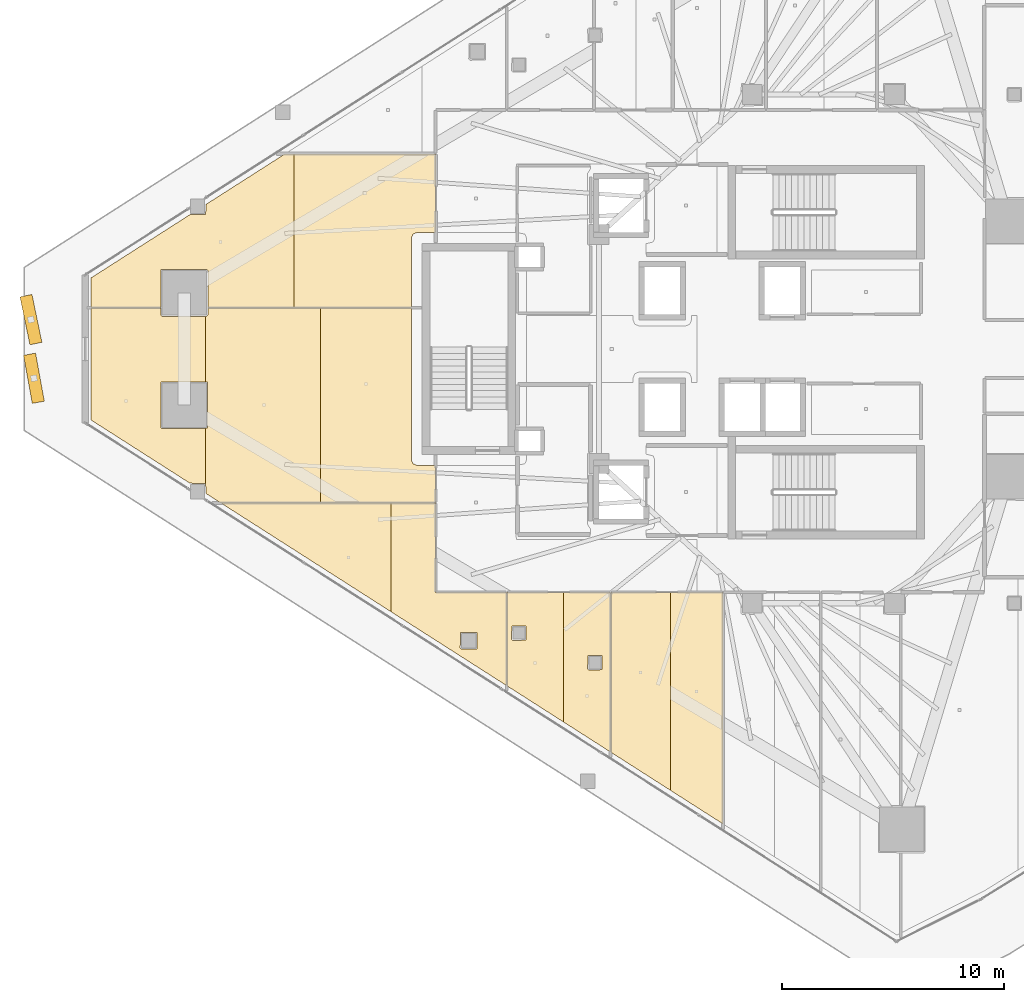
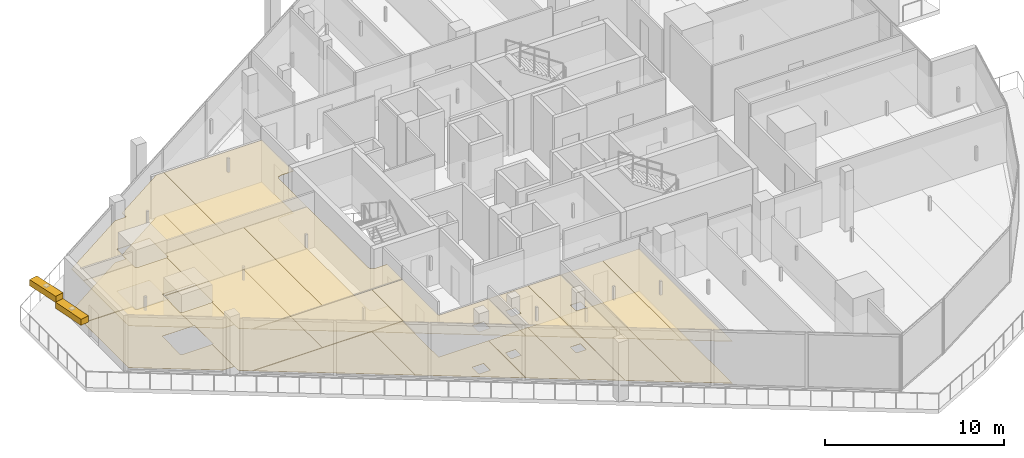
# One storey, part 28 of 33: 22 coverings, 2 shading devices.
"""IFC4 building model written with IfcOpenShell, lengths in metres."""

from ifc_helpers import new_model, si_unit, direction, frame, origin, origin_2d, place, context, subcontext, project, spatial, polyline, rectangle, outline, extrude, material, layer, layer_set, type_object, element, save


model = new_model("IFC4")

# Units and contexts
model_context = context("Model", 3, precision=1e-05, world=origin(), true_north=direction((0.0, 1.0)))
body_context = subcontext(model_context, "Body", "Model", "MODEL_VIEW")
ifc_project = project(units=[si_unit("LENGTHUNIT", "METRE"), si_unit("AREAUNIT", "SQUARE_METRE"), si_unit("VOLUMEUNIT", "CUBIC_METRE"), si_unit("PLANEANGLEUNIT", "RADIAN"), si_unit("MASSUNIT", "GRAM", prefix="KILO")], contexts=[model_context])

# Site, building, storey
site_placement = place(None, origin())
site = spatial("IfcSite", under=ifc_project, at=site_placement, CompositionType="ELEMENT")
building_placement = place(site_placement, origin())
building = spatial("IfcBuilding", under=site, at=building_placement, Name="Qorvath Tower", CompositionType="ELEMENT")
storey_placement = place(building_placement, frame((0.0, 0.0, 209.10009765625)))
storey = spatial("IfcBuildingStorey", under=building, at=storey_placement, Name="L48", CompositionType="ELEMENT", Elevation=209.10009765625)

# Coverings
ifc_material_1 = material(Name="Acoustic mineral fibre ceiling tile", Category="gypsum")
ifc_layer_1 = layer(ifc_material_1, 0.030029296875)
ifc_layer_set_1 = layer_set([ifc_layer_1], Name="COV-CEIL")
covering_type_1 = type_object("IfcCoveringType", Name="COV-CEIL", PredefinedType="CEILING", material=ifc_layer_set_1)
covering_1_placement = place(storey_placement, frame((0.0, 0.0, 2.849853515625)))
element("IfcCovering", 1, at=covering_1_placement, inside=storey, type_object=covering_type_1, Name="L48 Suspended Acoustic Ceiling 020", PredefinedType="CEILING", context=body_context, shape_type="SweptSolid", body=[
    extrude(outline(polyline([(-34.64501953125, -10.962890625), (-34.64501953125, -15.16796875), (-32.10205078125, -16.793212890625), (-32.10205078125, -10.962890625), (-34.64501953125, -10.962890625)]), holes=[polyline([(-34.439208984375, -13.0673828125), (-34.421630859375, -12.47509765625), (-33.786865234375, -12.47509765625), (-33.786865234375, -13.10986328125), (-34.379150390625, -13.12744140625), (-34.439208984375, -13.0673828125)])]), origin(), (0.0, 0.0, 1.0), 0.030029296875),
])
covering_2_placement = place(storey_placement, frame((0.0, 0.0, 2.849853515625)))
element("IfcCovering", 2, at=covering_2_placement, inside=storey, type_object=covering_type_1, Name="L48 Suspended Acoustic Ceiling 021", PredefinedType="CEILING", context=body_context, shape_type="SweptSolid", body=[
    extrude(outline(polyline([(-32.10205078125, -10.962890625), (-32.10205078125, -16.793212890625), (-29.98388671875, -18.147216796875), (-29.98388671875, -10.962890625), (-32.10205078125, -10.962890625)]), holes=[polyline([(-31.01220703125, -14.3994140625), (-30.99462890625, -13.806884765625), (-30.35986328125, -13.806884765625), (-30.35986328125, -14.441650390625), (-30.9521484375, -14.459228515625), (-31.01220703125, -14.3994140625)])]), origin(), (0.0, 0.0, 1.0), 0.030029296875),
])
covering_3_placement = place(storey_placement, frame((0.0, 0.0, 2.849853515625)))
element("IfcCovering", 3, at=covering_3_placement, inside=storey, type_object=covering_type_1, Name="L48 Suspended Acoustic Ceiling 022", PredefinedType="CEILING", context=body_context, shape_type="SweptSolid", body=[
    extrude(outline(polyline([(-29.9658203125, -10.962890625), (-29.9658203125, -18.15869140625), (-27.290771484375, -19.868408203125), (-27.290771484375, -10.962890625), (-29.9658203125, -10.962890625)])), origin(), (0.0, 0.0, 1.0), 0.030029296875),
])
covering_4_placement = place(storey_placement, frame((0.0, 0.0, 2.849853515625)))
element("IfcCovering", 4, at=covering_4_placement, inside=storey, type_object=covering_type_1, Name="L48 Suspended Acoustic Ceiling 023", PredefinedType="CEILING", context=body_context, shape_type="SweptSolid", body=[
    extrude(outline(polyline([(-27.290771484375, -10.962890625), (-27.290771484375, -19.868408203125), (-24.92333984375, -21.381591796875), (-24.92333984375, -10.962890625), (-27.290771484375, -10.962890625)])), origin(), (0.0, 0.0, 1.0), 0.030029296875),
])
covering_5_placement = place(storey_placement, frame((0.0, 0.0, 2.849853515625)))
element("IfcCovering", 5, at=covering_5_placement, inside=storey, type_object=covering_type_1, Name="L48 Suspended Acoustic Ceiling 040", PredefinedType="CEILING", context=body_context, shape_type="SweptSolid", body=[
    extrude(outline(polyline([(-39.8642578125, -11.832275390625), (-39.8642578125, -6.935791015625), (-47.525390625, -6.935791015625), (-39.8642578125, -11.832275390625)])), origin(), (0.0, 0.0, 1.0), 0.030029296875),
])
covering_6_placement = place(storey_placement, frame((0.0, 0.0, 2.849853515625)))
element("IfcCovering", 6, at=covering_6_placement, inside=storey, type_object=covering_type_1, Name="L48 Suspended Acoustic Ceiling 041", PredefinedType="CEILING", context=body_context, shape_type="SweptSolid", body=[
    extrude(outline(polyline([(-37.863037109375, -10.9580078125), (-37.863037109375, -6.935791015625), (-39.8642578125, -6.935791015625), (-39.8642578125, -11.832275390625), (-34.6630859375, -15.156494140625), (-34.6630859375, -10.962890625), (-37.863037109375, -10.9580078125)]), holes=[polyline([(-36.749755859375, -13.46044921875), (-36.732177734375, -12.76806640625), (-35.997314453125, -12.76806640625), (-35.997314453125, -13.5029296875), (-36.689697265625, -13.5205078125), (-36.749755859375, -13.46044921875)])]), origin(), (0.0, 0.0, 1.0), 0.030029296875),
])
covering_7_placement = place(storey_placement, frame((0.0, 0.0, 2.849853515625)))
element("IfcCovering", 7, at=covering_7_placement, inside=storey, type_object=covering_type_1, Name="L48 Suspended Acoustic Ceiling 042", PredefinedType="CEILING", context=body_context, shape_type="SweptSolid", body=[
    extrude(outline(polyline([(-53.377685546875, 1.847900390625), (-53.377685546875, -3.1953125), (-48.918212890625, -6.045654296875), (-48.2109375, -6.05712890625), (-48.206298828125, -6.179931640625), (-48.206298828125, -3.57080078125), (-50.171875, -3.587890625), (-50.23193359375, -3.52783203125), (-50.21435546875, -1.4853515625), (-48.206298828125, -1.4853515625), (-48.206298828125, 1.4677734375), (-50.171875, 1.4677734375), (-50.23193359375, 1.52783203125), (-50.23193359375, 1.847900390625), (-53.377685546875, 1.847900390625)])), origin(), (0.0, 0.0, 1.0), 0.030029296875),
])
covering_8_placement = place(storey_placement, frame((0.0, 0.0, 2.849853515625)))
element("IfcCovering", 8, at=covering_8_placement, inside=storey, type_object=covering_type_1, Name="L48 Suspended Acoustic Ceiling 043", PredefinedType="CEILING", context=body_context, shape_type="SweptSolid", body=[
    extrude(outline(polyline([(-48.206298828125, 1.4677734375), (-48.206298828125, -1.4853515625), (-48.12939453125, -1.4853515625), (-48.12939453125, -3.5703125), (-48.206298828125, -3.57080078125), (-48.206298828125, -6.179931640625), (-48.193359375, -6.5087890625), (-47.553466796875, -6.917724609375), (-43.03466796875, -6.917724609375), (-43.03466796875, 1.847900390625), (-48.11181640625, 1.847900390625), (-48.11181640625, 1.52783203125), (-48.171875, 1.4677734375), (-48.206298828125, 1.4677734375)])), origin(), (0.0, 0.0, 1.0), 0.030029296875),
])
covering_9_placement = place(storey_placement, frame((0.0, 0.0, 2.849853515625)))
element("IfcCovering", 9, at=covering_9_placement, inside=storey, type_object=covering_type_1, Name="L48 Suspended Acoustic Ceiling 044", PredefinedType="CEILING", context=body_context, shape_type="SweptSolid", body=[
    extrude(outline(polyline([(-43.03466796875, 1.847900390625), (-43.03466796875, -6.917724609375), (-37.863037109375, -6.917724609375), (-37.863037109375, -5.239990234375), (-38.699951171875, -5.239990234375), (-38.876708984375, -5.166748046875), (-38.949951171875, -4.989990234375), (-38.949951171875, 1.847900390625), (-43.03466796875, 1.847900390625)])), origin(), (0.0, 0.0, 1.0), 0.030029296875),
])
covering_10_placement = place(storey_placement, frame((0.0, 0.0, 2.849853515625)))
element("IfcCovering", 10, at=covering_10_placement, inside=storey, type_object=covering_type_1, Name="L48 Suspended Acoustic Ceiling 045", PredefinedType="CEILING", context=body_context, shape_type="SweptSolid", body=[
    extrude(outline(polyline([(-44.227294921875, 1.86572265625), (-44.227294921875, 8.778564453125), (-44.64208984375, 8.778564453125), (-48.193359375, 6.5087890625), (-48.2109375, 6.05712890625), (-48.918212890625, 6.045654296875), (-53.377685546875, 3.1953125), (-53.377685546875, 1.86572265625), (-50.23193359375, 1.86572265625), (-50.21435546875, 3.5703125), (-48.171875, 3.587890625), (-48.11181640625, 3.52783203125), (-48.11181640625, 1.86572265625), (-44.227294921875, 1.86572265625)])), origin(), (0.0, 0.0, 1.0), 0.030029296875),
])
covering_11_placement = place(storey_placement, frame((0.0, 0.0, 2.849853515625)))
element("IfcCovering", 11, at=covering_11_placement, inside=storey, type_object=covering_type_1, Name="L48 Suspended Acoustic Ceiling 046", PredefinedType="CEILING", context=body_context, shape_type="SweptSolid", body=[
    extrude(outline(polyline([(-37.863037109375, 8.778564453125), (-44.227294921875, 8.778564453125), (-44.227294921875, 1.86572265625), (-38.949951171875, 1.86572265625), (-38.949951171875, 4.989990234375), (-38.876708984375, 5.166748046875), (-38.699951171875, 5.239990234375), (-37.863037109375, 5.239990234375), (-37.863037109375, 8.778564453125)])), origin(), (0.0, 0.0, 1.0), 0.030029296875),
])
ifc_material_2 = material(Name="Low-VOC modular carpet tile", Category="textile")
ifc_layer_2 = layer(ifc_material_2, 0.014892578125)
ifc_layer_set_2 = layer_set([ifc_layer_2], Name="COV-FLOOR-CPT")
covering_type_2 = type_object("IfcCoveringType", Name="COV-FLOOR-CPT", PredefinedType="FLOORING", material=ifc_layer_set_2)
covering_12_placement = place(storey_placement, origin())
element("IfcCovering", 12, at=covering_12_placement, inside=storey, type_object=covering_type_2, Name="L48 Floor Finish 020", PredefinedType="FLOORING", context=body_context, shape_type="SweptSolid", body=[
    extrude(outline(polyline([(-34.64501953125, -10.962890625), (-34.64501953125, -15.16796875), (-32.10205078125, -16.793212890625), (-32.10205078125, -10.962890625), (-34.64501953125, -10.962890625)]), holes=[polyline([(-34.439208984375, -13.0673828125), (-34.421630859375, -12.47509765625), (-33.786865234375, -12.47509765625), (-33.786865234375, -13.10986328125), (-34.379150390625, -13.12744140625), (-34.439208984375, -13.0673828125)])]), origin(), (0.0, 0.0, 1.0), 0.014892578125),
])
covering_13_placement = place(storey_placement, origin())
element("IfcCovering", 13, at=covering_13_placement, inside=storey, type_object=covering_type_2, Name="L48 Floor Finish 021", PredefinedType="FLOORING", context=body_context, shape_type="SweptSolid", body=[
    extrude(outline(polyline([(-32.10205078125, -10.962890625), (-32.10205078125, -16.793212890625), (-29.98388671875, -18.147216796875), (-29.98388671875, -10.962890625), (-32.10205078125, -10.962890625)]), holes=[polyline([(-31.01220703125, -14.3994140625), (-30.99462890625, -13.806884765625), (-30.35986328125, -13.806884765625), (-30.35986328125, -14.441650390625), (-30.9521484375, -14.459228515625), (-31.01220703125, -14.3994140625)])]), origin(), (0.0, 0.0, 1.0), 0.014892578125),
])
covering_14_placement = place(storey_placement, origin())
element("IfcCovering", 14, at=covering_14_placement, inside=storey, type_object=covering_type_2, Name="L48 Floor Finish 022", PredefinedType="FLOORING", context=body_context, shape_type="SweptSolid", body=[
    extrude(outline(polyline([(-29.9658203125, -10.962890625), (-29.9658203125, -18.15869140625), (-27.290771484375, -19.868408203125), (-27.290771484375, -10.962890625), (-29.9658203125, -10.962890625)])), origin(), (0.0, 0.0, 1.0), 0.014892578125),
])
covering_15_placement = place(storey_placement, origin())
element("IfcCovering", 15, at=covering_15_placement, inside=storey, type_object=covering_type_2, Name="L48 Floor Finish 023", PredefinedType="FLOORING", context=body_context, shape_type="SweptSolid", body=[
    extrude(outline(polyline([(-27.290771484375, -10.962890625), (-27.290771484375, -19.868408203125), (-24.92333984375, -21.381591796875), (-24.92333984375, -10.962890625), (-27.290771484375, -10.962890625)])), origin(), (0.0, 0.0, 1.0), 0.014892578125),
])
covering_16_placement = place(storey_placement, origin())
element("IfcCovering", 16, at=covering_16_placement, inside=storey, type_object=covering_type_2, Name="L48 Floor Finish 040", PredefinedType="FLOORING", context=body_context, shape_type="SweptSolid", body=[
    extrude(outline(polyline([(-39.8642578125, -11.832275390625), (-39.8642578125, -6.935791015625), (-47.525390625, -6.935791015625), (-39.8642578125, -11.832275390625)])), origin(), (0.0, 0.0, 1.0), 0.014892578125),
])
covering_17_placement = place(storey_placement, origin())
element("IfcCovering", 17, at=covering_17_placement, inside=storey, type_object=covering_type_2, Name="L48 Floor Finish 041", PredefinedType="FLOORING", context=body_context, shape_type="SweptSolid", body=[
    extrude(outline(polyline([(-37.863037109375, -10.9580078125), (-37.863037109375, -6.935791015625), (-39.8642578125, -6.935791015625), (-39.8642578125, -11.832275390625), (-34.6630859375, -15.156494140625), (-34.6630859375, -10.962890625), (-37.863037109375, -10.9580078125)]), holes=[polyline([(-36.749755859375, -13.46044921875), (-36.732177734375, -12.76806640625), (-35.997314453125, -12.76806640625), (-35.997314453125, -13.5029296875), (-36.689697265625, -13.5205078125), (-36.749755859375, -13.46044921875)])]), origin(), (0.0, 0.0, 1.0), 0.014892578125),
])
covering_18_placement = place(storey_placement, origin())
element("IfcCovering", 18, at=covering_18_placement, inside=storey, type_object=covering_type_2, Name="L48 Floor Finish 042", PredefinedType="FLOORING", context=body_context, shape_type="SweptSolid", body=[
    extrude(outline(polyline([(-53.377685546875, 1.847900390625), (-53.377685546875, -3.1953125), (-48.918212890625, -6.045654296875), (-48.2109375, -6.05712890625), (-48.206298828125, -6.179931640625), (-48.206298828125, -3.57080078125), (-50.171875, -3.587890625), (-50.23193359375, -3.52783203125), (-50.21435546875, -1.4853515625), (-48.206298828125, -1.4853515625), (-48.206298828125, 1.4677734375), (-50.171875, 1.4677734375), (-50.23193359375, 1.52783203125), (-50.23193359375, 1.847900390625), (-53.377685546875, 1.847900390625)])), origin(), (0.0, 0.0, 1.0), 0.014892578125),
])
covering_19_placement = place(storey_placement, origin())
element("IfcCovering", 19, at=covering_19_placement, inside=storey, type_object=covering_type_2, Name="L48 Floor Finish 043", PredefinedType="FLOORING", context=body_context, shape_type="SweptSolid", body=[
    extrude(outline(polyline([(-48.206298828125, 1.4677734375), (-48.206298828125, -1.4853515625), (-48.12939453125, -1.4853515625), (-48.12939453125, -3.5703125), (-48.206298828125, -3.57080078125), (-48.206298828125, -6.179931640625), (-48.193359375, -6.5087890625), (-47.553466796875, -6.917724609375), (-43.03466796875, -6.917724609375), (-43.03466796875, 1.847900390625), (-48.11181640625, 1.847900390625), (-48.11181640625, 1.52783203125), (-48.171875, 1.4677734375), (-48.206298828125, 1.4677734375)])), origin(), (0.0, 0.0, 1.0), 0.014892578125),
])
covering_20_placement = place(storey_placement, origin())
element("IfcCovering", 20, at=covering_20_placement, inside=storey, type_object=covering_type_2, Name="L48 Floor Finish 044", PredefinedType="FLOORING", context=body_context, shape_type="SweptSolid", body=[
    extrude(outline(polyline([(-43.03466796875, 1.847900390625), (-43.03466796875, -6.917724609375), (-37.863037109375, -6.917724609375), (-37.863037109375, -5.239990234375), (-38.699951171875, -5.239990234375), (-38.876708984375, -5.166748046875), (-38.949951171875, -4.989990234375), (-38.949951171875, 1.847900390625), (-43.03466796875, 1.847900390625)])), origin(), (0.0, 0.0, 1.0), 0.014892578125),
])
covering_21_placement = place(storey_placement, origin())
element("IfcCovering", 21, at=covering_21_placement, inside=storey, type_object=covering_type_2, Name="L48 Floor Finish 045", PredefinedType="FLOORING", context=body_context, shape_type="SweptSolid", body=[
    extrude(outline(polyline([(-44.227294921875, 1.86572265625), (-44.227294921875, 8.778564453125), (-44.64208984375, 8.778564453125), (-48.193359375, 6.5087890625), (-48.2109375, 6.05712890625), (-48.918212890625, 6.045654296875), (-53.377685546875, 3.1953125), (-53.377685546875, 1.86572265625), (-50.23193359375, 1.86572265625), (-50.21435546875, 3.5703125), (-48.171875, 3.587890625), (-48.11181640625, 3.52783203125), (-48.11181640625, 1.86572265625), (-44.227294921875, 1.86572265625)])), origin(), (0.0, 0.0, 1.0), 0.014892578125),
])
covering_22_placement = place(storey_placement, origin())
element("IfcCovering", 22, at=covering_22_placement, inside=storey, type_object=covering_type_2, Name="L48 Floor Finish 046", PredefinedType="FLOORING", context=body_context, shape_type="SweptSolid", body=[
    extrude(outline(polyline([(-37.863037109375, 8.778564453125), (-44.227294921875, 8.778564453125), (-44.227294921875, 1.86572265625), (-38.949951171875, 1.86572265625), (-38.949951171875, 4.989990234375), (-38.876708984375, 5.166748046875), (-38.699951171875, 5.239990234375), (-37.863037109375, 5.239990234375), (-37.863037109375, 8.778564453125)])), origin(), (0.0, 0.0, 1.0), 0.014892578125),
])

# Shading devices
ifc_material_3 = material(Name="Anodised bronze-champagne aluminium", Category="aluminium")
shading_device_type = type_object("IfcShadingDeviceType", Name="SD-LOUVRE", PredefinedType="JALOUSIE", material=ifc_material_3)
for number, where, z_axis, x_axis, name in (
    (23, (-56.076416015625, 1.320556640625, 3.35986328125), (0.0, 0.0, 1.0), (0.203361506703, -0.97910372157, 0.0), "Sinusoidal Wave Louvre Blade L48-01"),
    (24, (-55.94189453125, -1.320556640625, 3.35986328125), (0.0, 0.0, 1.0), (0.179674484018, -0.983726120316, 0.0), "Sinusoidal Wave Louvre Blade L48-02"),
):
    element("IfcShadingDevice", number, at=place(storey_placement, frame(where, z_axis=z_axis, x_axis=x_axis)), inside=storey, type_object=shading_device_type, Name=name, PredefinedType="NOTDEFINED", context=body_context, shape_type="SweptSolid", body=[
        extrude(rectangle(XDim=2.199951171875, YDim=0.550048828125, at=origin_2d()), origin(), (0.0, 0.0, 1.0), 0.419921875),
    ])

save(model, "model.ifc")
